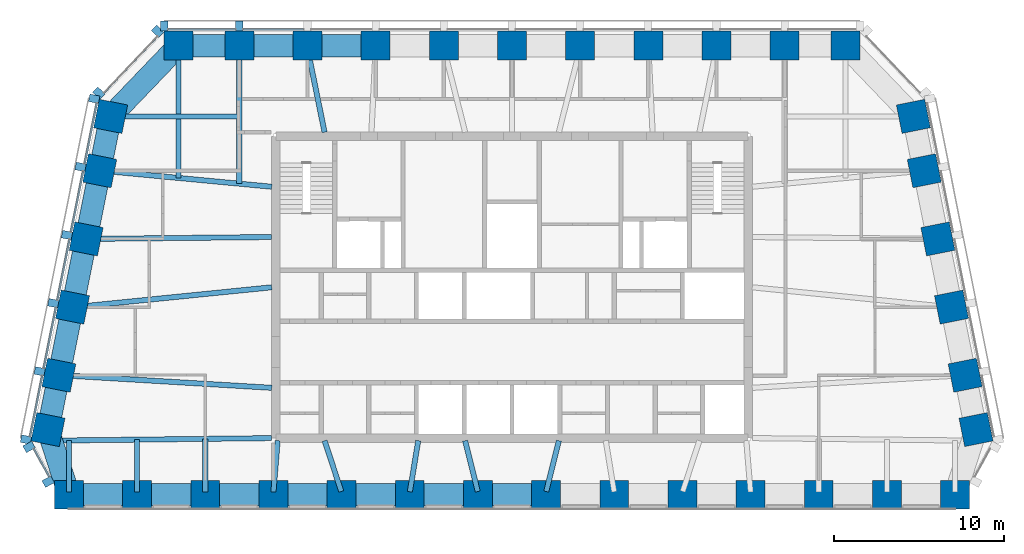
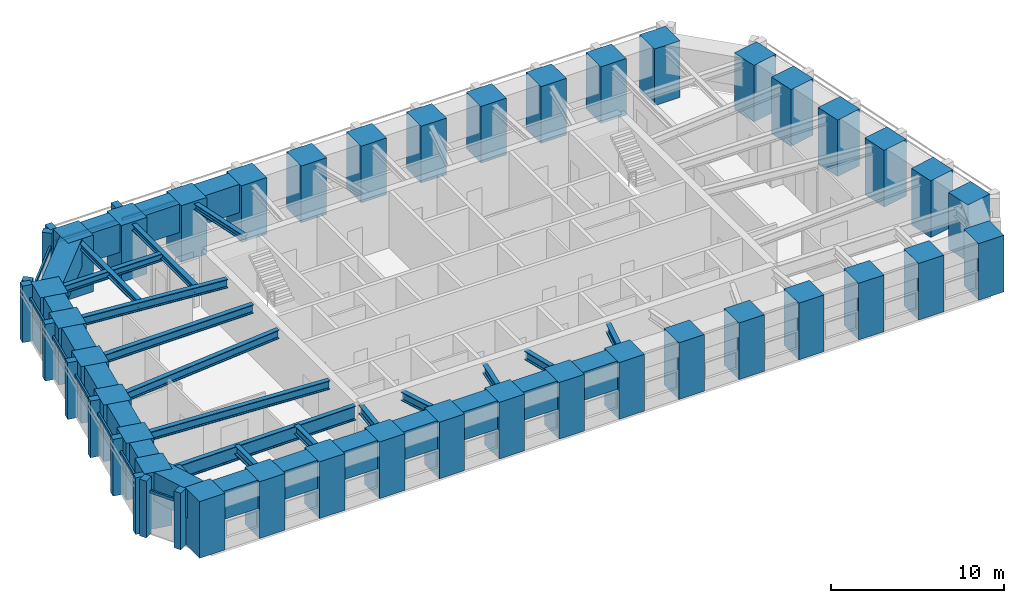
# One storey, part 1 of 9: 37 columns, 34 beams, 21 members, 4 elements without a shape of their own.
"""IFC4 building model written with IfcOpenShell, lengths in metres."""

from ifc_helpers import new_model, si_unit, direction, frame, origin, origin_2d, place, context, subcontext, project, spatial, rectangle, i_section, extrude, material, material_profile, profile_set, type_object, element, aggregate, save


model = new_model("IFC4")

# Units and contexts
model_context = context("Model", 3, precision=1e-05, world=origin(), true_north=direction((0.0, 1.0)))
body_context = subcontext(model_context, "Body", "Model", "MODEL_VIEW")
ifc_project = project(units=[si_unit("LENGTHUNIT", "METRE"), si_unit("AREAUNIT", "SQUARE_METRE"), si_unit("VOLUMEUNIT", "CUBIC_METRE"), si_unit("PLANEANGLEUNIT", "RADIAN"), si_unit("MASSUNIT", "GRAM", prefix="KILO")], contexts=[model_context])

# Site, building, storey
site_placement = place(None, origin())
site = spatial("IfcSite", under=ifc_project, at=site_placement, CompositionType="ELEMENT")
building_placement = place(site_placement, origin())
building = spatial("IfcBuilding", under=site, at=building_placement, Name="Isbrekke Arena Tower", CompositionType="ELEMENT")
storey_placement = place(building_placement, frame((0.0, 0.0, 312.0)))
storey = spatial("IfcBuildingStorey", under=building, at=storey_placement, Name="L73", CompositionType="ELEMENT", Elevation=312.0)

# Columns
ifc_material_1 = material(Name="Concrete B55 (C55/67)", Category="concrete")
ifc_material_profile_1 = material_profile(ifc_material_1, rectangle(XDim=1.699951171875, YDim=1.699951171875, at=origin_2d()), Name="RC 1700x1700")
ifc_profile_set_1 = profile_set([ifc_material_profile_1], Name="Concrete B55 (C55/67)")
column_type = type_object("IfcColumnType", Name="C5 RC 1700 x 1700", PredefinedType="COLUMN", material=ifc_profile_set_1)
for number, where, z_axis, x_axis, name in (
    (1, (-26.0, 2.824951171875, 0.0), (0.0, 0.0, 1.0), (1.0, 0.0, 0.0), "C5 S01"),
    (2, (-22.0, 2.824951171875, 0.0), (0.0, 0.0, 1.0), (1.0, 0.0, 0.0), "C5 S02"),
    (3, (-18.0, 2.824951171875, 0.0), (0.0, 0.0, 1.0), (1.0, 0.0, 0.0), "C5 S03"),
    (4, (-14.0, 2.824951171875, 0.0), (0.0, 0.0, 1.0), (1.0, 0.0, 0.0), "C5 S04"),
    (5, (-10.0, 2.824951171875, 0.0), (0.0, 0.0, 1.0), (1.0, 0.0, 0.0), "C5 S05"),
    (6, (-6.0, 2.824951171875, 0.0), (0.0, 0.0, 1.0), (1.0, 0.0, 0.0), "C5 S06"),
    (7, (-2.0, 2.824951171875, 0.0), (0.0, 0.0, 1.0), (1.0, 0.0, 0.0), "C5 S07"),
    (8, (2.0, 2.824951171875, 0.0), (0.0, 0.0, 1.0), (1.0, 0.0, 0.0), "C5 S08"),
    (9, (6.0, 2.824951171875, 0.0), (0.0, 0.0, 1.0), (1.0, 0.0, 0.0), "C5 S09"),
    (10, (10.0, 2.824951171875, 0.0), (0.0, 0.0, 1.0), (1.0, 0.0, 0.0), "C5 S10"),
    (11, (14.0, 2.824951171875, 0.0), (0.0, 0.0, 1.0), (1.0, 0.0, 0.0), "C5 S11"),
    (12, (18.0, 2.824951171875, 0.0), (0.0, 0.0, 1.0), (1.0, 0.0, 0.0), "C5 S12"),
    (13, (22.0, 2.824951171875, 0.0), (0.0, 0.0, 1.0), (1.0, 0.0, 0.0), "C5 S13"),
    (14, (26.0, 2.824951171875, 0.0), (0.0, 0.0, 1.0), (1.0, 0.0, 0.0), "C5 S14"),
    (15, (27.229248046875, 6.647216796875, 0.0), (0.0, 0.0, 1.0), (-0.196116135138, 0.980580675691, 0.0), "C5 E01"),
    (16, (26.591064453125, 9.838134765625, 0.0), (0.0, 0.0, 1.0), (-0.196116135138, 0.980580675691, 0.0), "C5 E02"),
    (17, (25.791015625, 13.838134765625, 0.0), (0.0, 0.0, 1.0), (-0.196116135138, 0.980580675691, 0.0), "C5 E03"),
    (18, (24.990966796875, 17.838134765625, 0.0), (0.0, 0.0, 1.0), (-0.196116135138, 0.980580675691, 0.0), "C5 E04"),
    (19, (24.19091796875, 21.838134765625, 0.0), (0.0, 0.0, 1.0), (-0.196116135138, 0.980580675691, 0.0), "C5 E05"),
    (20, (23.552734375, 25.029296875, 0.0), (0.0, 0.0, 1.0), (-0.196116135138, 0.980580675691, 0.0), "C5 E06"),
    (21, (19.574951171875, 29.175048828125, 0.0), (0.0, 0.0, 1.0), (-1.0, 0.0, 0.0), "C5 N01"),
    (22, (16.0, 29.175048828125, 0.0), (0.0, 0.0, 1.0), (-1.0, 0.0, 0.0), "C5 N02"),
    (23, (12.0, 29.175048828125, 0.0), (0.0, 0.0, 1.0), (-1.0, 0.0, 0.0), "C5 N03"),
    (24, (8.0, 29.175048828125, 0.0), (0.0, 0.0, 1.0), (-1.0, 0.0, 0.0), "C5 N04"),
    (25, (4.0, 29.175048828125, 0.0), (0.0, 0.0, 1.0), (-1.0, 0.0, 0.0), "C5 N05"),
    (26, (0.0, 29.175048828125, 0.0), (0.0, 0.0, 1.0), (-1.0, 0.0, 0.0), "C5 N06"),
    (27, (-4.0, 29.175048828125, 0.0), (0.0, 0.0, 1.0), (-1.0, 0.0, 0.0), "C5 N07"),
    (28, (-8.0, 29.175048828125, 0.0), (0.0, 0.0, 1.0), (-1.0, 0.0, 0.0), "C5 N08"),
    (29, (-12.0, 29.175048828125, 0.0), (0.0, 0.0, 1.0), (-1.0, 0.0, 0.0), "C5 N09"),
    (30, (-16.0, 29.175048828125, 0.0), (0.0, 0.0, 1.0), (-1.0, 0.0, 0.0), "C5 N10"),
    (31, (-19.574951171875, 29.175048828125, 0.0), (0.0, 0.0, 1.0), (-1.0, 0.0, 0.0), "C5 N11"),
    (32, (-23.552734375, 25.029296875, 0.0), (0.0, 0.0, 1.0), (-0.196116135138, -0.980580675691, 0.0), "C5 W01"),
    (33, (-24.19091796875, 21.838134765625, 0.0), (0.0, 0.0, 1.0), (-0.196116135138, -0.980580675691, 0.0), "C5 W02"),
    (34, (-24.990966796875, 17.838134765625, 0.0), (0.0, 0.0, 1.0), (-0.196116135138, -0.980580675691, 0.0), "C5 W03"),
    (35, (-25.791015625, 13.838134765625, 0.0), (0.0, 0.0, 1.0), (-0.196116135138, -0.980580675691, 0.0), "C5 W04"),
    (36, (-26.591064453125, 9.838134765625, 0.0), (0.0, 0.0, 1.0), (-0.196116135138, -0.980580675691, 0.0), "C5 W05"),
    (37, (-27.229248046875, 6.647216796875, 0.0), (0.0, 0.0, 1.0), (-0.196116135138, -0.980580675691, 0.0), "C5 W06"),
):
    element("IfcColumn", number, at=place(storey_placement, frame(where, z_axis=z_axis, x_axis=x_axis)), inside=storey, type_object=column_type, Name=name, PredefinedType="COLUMN", context=body_context, shape_type="SweptSolid", body=[
        extrude(rectangle(XDim=1.699951171875, YDim=1.699951171875, at=origin_2d()), origin(), (0.0, 0.0, 1.0), 4.0),
    ])

# Beams
ifc_material_2 = material(Name="Steel S355", Category="steel")
ifc_material_profile_2 = material_profile(ifc_material_2, i_section(OverallWidth=0.304931640625, OverallDepth=0.6201171875, WebThickness=0.02099609375, FlangeThickness=0.0400390625, FilletRadius=0.027099609375, at=origin_2d()), Name="HEM 600")
ifc_profile_set_2 = profile_set([ifc_material_profile_2], Name="Steel S355")
beam_type_1 = type_object("IfcBeamType", Name="B4 HEM 600", PredefinedType="BEAM", material=ifc_profile_set_2)
beam_1_placement = place(storey_placement, frame((-26.0, 2.97509765625, 3.5400390625), z_axis=(0.0, 1.0, 0.0), x_axis=(-1.0, 0.0, 0.0)))
element("IfcBeam", 38, at=beam_1_placement, inside=storey, type_object=beam_type_1, Name="B4 beam C-S01 L73", PredefinedType="BEAM", context=body_context, shape_type="SweptSolid", body=[
    extrude(i_section(OverallWidth=0.304931640625, OverallDepth=0.6201171875, WebThickness=0.02099609375, FlangeThickness=0.0400390625, FilletRadius=0.027099609375, at=origin_2d()), origin(), (0.0, 0.0, 1.0), 3.0390625),
])
beam_2_placement = place(storey_placement, frame((-22.0, 2.97509765625, 3.5400390625), z_axis=(0.0, 1.0, 0.0), x_axis=(-1.0, 0.0, 0.0)))
element("IfcBeam", 39, at=beam_2_placement, inside=storey, type_object=beam_type_1, Name="B4 beam C-S02 L73", PredefinedType="BEAM", context=body_context, shape_type="SweptSolid", body=[
    extrude(i_section(OverallWidth=0.304931640625, OverallDepth=0.6201171875, WebThickness=0.02099609375, FlangeThickness=0.0400390625, FilletRadius=0.027099609375, at=origin_2d()), origin(), (0.0, 0.0, 1.0), 3.084716796875),
])
beam_3_placement = place(storey_placement, frame((-18.0, 2.97509765625, 3.5400390625), z_axis=(0.0, 1.0, 0.0), x_axis=(-1.0, 0.0, 0.0)))
element("IfcBeam", 40, at=beam_3_placement, inside=storey, type_object=beam_type_1, Name="B4 beam C-S03 L73", PredefinedType="BEAM", context=body_context, shape_type="SweptSolid", body=[
    extrude(i_section(OverallWidth=0.304931640625, OverallDepth=0.6201171875, WebThickness=0.02099609375, FlangeThickness=0.0400390625, FilletRadius=0.027099609375, at=origin_2d()), origin(), (0.0, 0.0, 1.0), 3.13037109375),
])
beam_4_placement = place(storey_placement, frame((-13.9990234375, 2.987548828125, 3.5400390625), z_axis=(0.082383718089, 0.996600683822, 0.0), x_axis=(-0.996600683822, 0.082383718089, 0.0)))
element("IfcBeam", 41, at=beam_4_placement, inside=storey, type_object=beam_type_1, Name="B4 beam C-S04 L73", PredefinedType="BEAM", context=body_context, shape_type="SweptSolid", body=[
    extrude(i_section(OverallWidth=0.304931640625, OverallDepth=0.6201171875, WebThickness=0.02099609375, FlangeThickness=0.0400390625, FilletRadius=0.027099609375, at=origin_2d()), origin(), (0.0, 0.0, 1.0), 3.022705078125),
])
beam_5_placement = place(storey_placement, frame((-10.01513671875, 3.0205078125, 3.5400390625), z_axis=(-0.313846083605, 0.949473873156, 0.0), x_axis=(-0.949473873156, -0.313846083605, 0.0)))
element("IfcBeam", 42, at=beam_5_placement, inside=storey, type_object=beam_type_1, Name="B4 beam C-S05 L73", PredefinedType="BEAM", context=body_context, shape_type="SweptSolid", body=[
    extrude(i_section(OverallWidth=0.304931640625, OverallDepth=0.6201171875, WebThickness=0.02099609375, FlangeThickness=0.0400390625, FilletRadius=0.027099609375, at=origin_2d()), origin(), (0.0, 0.0, 1.0), 3.137939453125),
])
beam_6_placement = place(storey_placement, frame((-5.995849609375, 2.99951171875, 3.5400390625), z_axis=(0.163044952053, 0.986618641426, 0.0), x_axis=(-0.986618641426, 0.163044952053, 0.0)))
element("IfcBeam", 43, at=beam_6_placement, inside=storey, type_object=beam_type_1, Name="B4 beam C-S06 L73", PredefinedType="BEAM", context=body_context, shape_type="SweptSolid", body=[
    extrude(i_section(OverallWidth=0.304931640625, OverallDepth=0.6201171875, WebThickness=0.02099609375, FlangeThickness=0.0400390625, FilletRadius=0.027099609375, at=origin_2d()), origin(), (0.0, 0.0, 1.0), 3.041259765625),
])
for number, where, z_axis, x_axis, name in (
    (44, (-2.0087890625, 3.0107421875, 3.5400390625), (-0.240669951999, 0.970607013268, 0.0), (-0.970607013268, -0.240669951999, 0.0), "B4 beam C-S07 L73"),
    (45, (2.0087890625, 3.0107421875, 3.5400390625), (0.240669951999, 0.970607013268, 0.0), (-0.970607013268, 0.240669951999, 0.0), "B4 beam C-S08 L73"),
):
    element("IfcBeam", number, at=place(storey_placement, frame(where, z_axis=z_axis, x_axis=x_axis)), inside=storey, type_object=beam_type_1, Name=name, PredefinedType="BEAM", context=body_context, shape_type="SweptSolid", body=[
        extrude(i_section(OverallWidth=0.304931640625, OverallDepth=0.6201171875, WebThickness=0.02099609375, FlangeThickness=0.0400390625, FilletRadius=0.027099609375, at=origin_2d()), origin(), (0.0, 0.0, 1.0), 3.079833984375),
    ])
beam_7_placement = place(storey_placement, frame((-24.02685546875, 21.8369140625, 3.5400390625), z_axis=(0.995574576627, -0.093974796485, 0.0), x_axis=(0.093974796485, 0.995574576627, 0.0)))
element("IfcBeam", 46, at=beam_7_placement, inside=storey, type_object=beam_type_1, Name="B4 beam E-W02 L73", PredefinedType="BEAM", context=body_context, shape_type="SweptSolid", body=[
    extrude(i_section(OverallWidth=0.304931640625, OverallDepth=0.6201171875, WebThickness=0.02099609375, FlangeThickness=0.0400390625, FilletRadius=0.027099609375, at=origin_2d()), origin(), (0.0, 0.0, 1.0), 9.970947265625),
])
beam_8_placement = place(storey_placement, frame((-24.83935546875, 17.838134765625, 3.5400390625), z_axis=(0.999945800258, 0.010411366203, 0.0), x_axis=(-0.010411366203, 0.999945800258, 0.0)))
element("IfcBeam", 47, at=beam_8_placement, inside=storey, type_object=beam_type_1, Name="B4 beam E-W03 L73", PredefinedType="BEAM", context=body_context, shape_type="SweptSolid", body=[
    extrude(i_section(OverallWidth=0.304931640625, OverallDepth=0.6201171875, WebThickness=0.02099609375, FlangeThickness=0.0400390625, FilletRadius=0.027099609375, at=origin_2d()), origin(), (0.0, 0.0, 1.0), 10.73974609375),
])
beam_9_placement = place(storey_placement, frame((-25.625732421875, 13.83984375, 3.5400390625), z_axis=(0.994972081505, 0.100152668587, 0.0), x_axis=(-0.100152668587, 0.994972081505, 0.0)))
element("IfcBeam", 48, at=beam_9_placement, inside=storey, type_object=beam_type_1, Name="B4 beam E-W04 L73", PredefinedType="BEAM", context=body_context, shape_type="SweptSolid", body=[
    extrude(i_section(OverallWidth=0.304931640625, OverallDepth=0.6201171875, WebThickness=0.02099609375, FlangeThickness=0.0400390625, FilletRadius=0.027099609375, at=origin_2d()), origin(), (0.0, 0.0, 1.0), 11.583984375),
])
beam_10_placement = place(storey_placement, frame((-26.431884765625, 9.837646484375, 3.5400390625), z_axis=(0.998216240514, -0.059702070095, 0.0), x_axis=(0.059702070095, 0.998216240514, 0.0)))
element("IfcBeam", 49, at=beam_10_placement, inside=storey, type_object=beam_type_1, Name="B4 beam E-W05 L73", PredefinedType="BEAM", context=body_context, shape_type="SweptSolid", body=[
    extrude(i_section(OverallWidth=0.304931640625, OverallDepth=0.6201171875, WebThickness=0.02099609375, FlangeThickness=0.0400390625, FilletRadius=0.027099609375, at=origin_2d()), origin(), (0.0, 0.0, 1.0), 12.353759765625),
])
ifc_material_3 = material(Name="Steel S355", Category="steel")
ifc_material_profile_3 = material_profile(ifc_material_3, i_section(OverallWidth=0.305908203125, OverallDepth=0.52392578125, WebThickness=0.02099609375, FlangeThickness=0.0400390625, FilletRadius=0.027099609375, at=origin_2d()), Name="HEM 500")
ifc_profile_set_3 = profile_set([ifc_material_profile_3], Name="Steel S355")
beam_type_2 = type_object("IfcBeamType", Name="B5 HEM 500", PredefinedType="BEAM", material=ifc_profile_set_3)
beam_11_placement = place(storey_placement, frame((-23.40283203125, 25.029296875, 3.587890625), z_axis=(1.0, 0.0, 0.0), x_axis=(0.0, 1.0, 0.0)))
element("IfcBeam", 50, at=beam_11_placement, inside=storey, type_object=beam_type_2, Name="B5 beam E-W01 L73", PredefinedType="BEAM", context=body_context, shape_type="SweptSolid", body=[
    extrude(i_section(OverallWidth=0.305908203125, OverallDepth=0.52392578125, WebThickness=0.02099609375, FlangeThickness=0.0400390625, FilletRadius=0.027099609375, at=origin_2d()), origin(), (0.0, 0.0, 1.0), 7.40283203125),
])
ifc_material_4 = material(Name="Steel S355", Category="steel")
ifc_material_profile_4 = material_profile(ifc_material_4, i_section(OverallWidth=0.306884765625, OverallDepth=0.431884765625, WebThickness=0.02099609375, FlangeThickness=0.0400390625, FilletRadius=0.027099609375, at=origin_2d()), Name="HEM 400")
ifc_profile_set_4 = profile_set([ifc_material_profile_4], Name="Steel S355")
beam_type_3 = type_object("IfcBeamType", Name="B6 HEM 400", PredefinedType="BEAM", material=ifc_profile_set_4)
beam_12_placement = place(storey_placement, frame((-16.0, 29.02490234375, 3.634033203125), z_axis=(0.0, -1.0, 0.0), x_axis=(1.0, 0.0, 0.0)))
element("IfcBeam", 51, at=beam_12_placement, inside=storey, type_object=beam_type_3, Name="B6 beam N-N10 L73", PredefinedType="BEAM", context=body_context, shape_type="SweptSolid", body=[
    extrude(i_section(OverallWidth=0.306884765625, OverallDepth=0.431884765625, WebThickness=0.02099609375, FlangeThickness=0.0400390625, FilletRadius=0.027099609375, at=origin_2d()), origin(), (0.0, 0.0, 1.0), 7.945556640625),
])
beam_13_placement = place(storey_placement, frame((-19.574951171875, 29.02490234375, 3.634033203125), z_axis=(0.0, -1.0, 0.0), x_axis=(1.0, 0.0, 0.0)))
element("IfcBeam", 52, at=beam_13_placement, inside=storey, type_object=beam_type_3, Name="B6 beam N-N11 L73", PredefinedType="BEAM", context=body_context, shape_type="SweptSolid", body=[
    extrude(i_section(OverallWidth=0.306884765625, OverallDepth=0.431884765625, WebThickness=0.02099609375, FlangeThickness=0.0400390625, FilletRadius=0.027099609375, at=origin_2d()), origin(), (0.0, 0.0, 1.0), 7.608154296875),
])
beam_14_placement = place(storey_placement, frame((-11.993896484375, 28.9951171875, 3.634033203125), z_axis=(0.198982177337, -0.980003108721, 0.0), x_axis=(0.980003108721, 0.198982177337, 0.0)))
element("IfcBeam", 53, at=beam_14_placement, inside=storey, type_object=beam_type_3, Name="B6 beam N-N09 L73", PredefinedType="BEAM", context=body_context, shape_type="SweptSolid", body=[
    extrude(i_section(OverallWidth=0.306884765625, OverallDepth=0.431884765625, WebThickness=0.02099609375, FlangeThickness=0.0400390625, FilletRadius=0.027099609375, at=origin_2d()), origin(), (0.0, 0.0, 1.0), 4.994873046875),
])

# Curtain wall, members
ifc_material_5 = material(Name="Glazed aluminium curtain wall", Category="aluminium")
curtain_wall_type = type_object("IfcCurtainWallType", Name="CWT TOWER CURTAIN WALL TOP ZONE", PredefinedType="USERDEFINED", material=ifc_material_5)
curtain_wall_1_placement = place(storey_placement, origin())
curtain_wall_1 = element("IfcCurtainWall", 54, at=curtain_wall_1_placement, inside=storey, type_object=curtain_wall_type, Name="CWT curtain wall L73-N", ObjectType="TOWER CURTAIN WALL TOP ZONE", PredefinedType="USERDEFINED")
ifc_material_6 = material(Name="Copper-clad aluminium mullion", Category="aluminium")
ifc_material_profile_5 = material_profile(ifc_material_6, rectangle(XDim=0.449951171875, YDim=0.60009765625, at=origin_2d()), Name="PIER 450X600")
ifc_profile_set_5 = profile_set([ifc_material_profile_5], Name="Copper-clad aluminium mullion")
member_type_1 = type_object("IfcMemberType", Name="CWT-M PIER MULLION 450 x 600", PredefinedType="MULLION", material=ifc_profile_set_5)
member_1_placement = place(storey_placement, frame((-16.0, 30.324951171875, 0.0), z_axis=(0.0, 0.0, 1.0), x_axis=(-1.0, 0.0, 0.0)))
member_1 = element("IfcMember", 55, at=member_1_placement, type_object=member_type_1, Name="CWT-M mullion 10", PredefinedType="MULLION", context=body_context, shape_type="SweptSolid", body=[
    extrude(rectangle(XDim=0.449951171875, YDim=0.60009765625, at=origin_2d()), origin(), (0.0, 0.0, 1.0), 4.0),
])
member_2_placement = place(storey_placement, frame((-20.39990234375, 30.324951171875, 0.0), z_axis=(0.0, 0.0, 1.0), x_axis=(-1.0, 0.0, 0.0)))
member_2 = element("IfcMember", 56, at=member_2_placement, type_object=member_type_1, Name="CWT-M mullion 11", PredefinedType="MULLION", context=body_context, shape_type="SweptSolid", body=[
    extrude(rectangle(XDim=0.449951171875, YDim=0.60009765625, at=origin_2d()), origin(), (0.0, 0.0, 1.0), 4.0),
])

curtain_wall_2_placement = place(storey_placement, origin())
curtain_wall_2 = element("IfcCurtainWall", 57, at=curtain_wall_2_placement, inside=storey, type_object=curtain_wall_type, Name="CWT curtain wall L73-NW", ObjectType="TOWER CURTAIN WALL TOP ZONE", PredefinedType="USERDEFINED")
member_3_placement = place(storey_placement, frame((-20.795166015625, 30.01953125, 0.0), z_axis=(0.0, 0.0, 1.0), x_axis=(-0.68874946192, -0.72499943359, 0.0)))
member_3 = element("IfcMember", 58, at=member_3_placement, type_object=member_type_1, Name="CWT-M mullion 1", PredefinedType="MULLION", context=body_context, shape_type="SweptSolid", body=[
    extrude(rectangle(XDim=0.449951171875, YDim=0.60009765625, at=origin_2d()), origin(), (0.0, 0.0, 1.0), 4.0),
])
member_4_placement = place(storey_placement, frame((-24.243896484375, 26.389404296875, 0.0), z_axis=(0.0, 0.0, 1.0), x_axis=(-0.68874946192, -0.72499943359, 0.0)))
member_4 = element("IfcMember", 59, at=member_4_placement, type_object=member_type_1, Name="CWT-M mullion 2", PredefinedType="MULLION", context=body_context, shape_type="SweptSolid", body=[
    extrude(rectangle(XDim=0.449951171875, YDim=0.60009765625, at=origin_2d()), origin(), (0.0, 0.0, 1.0), 4.0),
])

curtain_wall_3_placement = place(storey_placement, origin())
curtain_wall_3 = element("IfcCurtainWall", 60, at=curtain_wall_3_placement, inside=storey, type_object=curtain_wall_type, Name="CWT curtain wall L73-W", ObjectType="TOWER CURTAIN WALL TOP ZONE", PredefinedType="USERDEFINED")
member_5_placement = place(storey_placement, frame((-24.518798828125, 26.063720703125, 0.0), z_axis=(0.0, 0.0, 1.0), x_axis=(-0.196116135138, -0.980580675691, 0.0)))
member_5 = element("IfcMember", 61, at=member_5_placement, type_object=member_type_1, Name="CWT-M mullion 1", PredefinedType="MULLION", context=body_context, shape_type="SweptSolid", body=[
    extrude(rectangle(XDim=0.449951171875, YDim=0.60009765625, at=origin_2d()), origin(), (0.0, 0.0, 1.0), 4.0),
])
member_6_placement = place(storey_placement, frame((-25.318603515625, 22.063720703125, 0.0), z_axis=(0.0, 0.0, 1.0), x_axis=(-0.196116135138, -0.980580675691, 0.0)))
member_6 = element("IfcMember", 62, at=member_6_placement, type_object=member_type_1, Name="CWT-M mullion 2", PredefinedType="MULLION", context=body_context, shape_type="SweptSolid", body=[
    extrude(rectangle(XDim=0.449951171875, YDim=0.60009765625, at=origin_2d()), origin(), (0.0, 0.0, 1.0), 4.0),
])
member_7_placement = place(storey_placement, frame((-26.11865234375, 18.063720703125, 0.0), z_axis=(0.0, 0.0, 1.0), x_axis=(-0.196116135138, -0.980580675691, 0.0)))
member_7 = element("IfcMember", 63, at=member_7_placement, type_object=member_type_1, Name="CWT-M mullion 3", PredefinedType="MULLION", context=body_context, shape_type="SweptSolid", body=[
    extrude(rectangle(XDim=0.449951171875, YDim=0.60009765625, at=origin_2d()), origin(), (0.0, 0.0, 1.0), 4.0),
])
member_8_placement = place(storey_placement, frame((-26.918701171875, 14.063720703125, 0.0), z_axis=(0.0, 0.0, 1.0), x_axis=(-0.196116135138, -0.980580675691, 0.0)))
member_8 = element("IfcMember", 64, at=member_8_placement, type_object=member_type_1, Name="CWT-M mullion 4", PredefinedType="MULLION", context=body_context, shape_type="SweptSolid", body=[
    extrude(rectangle(XDim=0.449951171875, YDim=0.60009765625, at=origin_2d()), origin(), (0.0, 0.0, 1.0), 4.0),
])
member_9_placement = place(storey_placement, frame((-27.71875, 10.063720703125, 0.0), z_axis=(0.0, 0.0, 1.0), x_axis=(-0.196116135138, -0.980580675691, 0.0)))
member_9 = element("IfcMember", 65, at=member_9_placement, type_object=member_type_1, Name="CWT-M mullion 5", PredefinedType="MULLION", context=body_context, shape_type="SweptSolid", body=[
    extrude(rectangle(XDim=0.449951171875, YDim=0.60009765625, at=origin_2d()), origin(), (0.0, 0.0, 1.0), 4.0),
])
member_10_placement = place(storey_placement, frame((-28.518798828125, 6.063720703125, 0.0), z_axis=(0.0, 0.0, 1.0), x_axis=(-0.196116135138, -0.980580675691, 0.0)))
member_10 = element("IfcMember", 66, at=member_10_placement, type_object=member_type_1, Name="CWT-M mullion 6", PredefinedType="MULLION", context=body_context, shape_type="SweptSolid", body=[
    extrude(rectangle(XDim=0.449951171875, YDim=0.60009765625, at=origin_2d()), origin(), (0.0, 0.0, 1.0), 4.0),
])

curtain_wall_4_placement = place(storey_placement, origin())
curtain_wall_4 = element("IfcCurtainWall", 67, at=curtain_wall_4_placement, inside=storey, type_object=curtain_wall_type, Name="CWT curtain wall L73-WS", ObjectType="TOWER CURTAIN WALL TOP ZONE", PredefinedType="USERDEFINED")
member_11_placement = place(storey_placement, frame((-28.34033203125, 5.632568359375, 0.0), z_axis=(0.0, 0.0, 1.0), x_axis=(0.481918749773, -0.876215908676, 0.0)))
member_11 = element("IfcMember", 68, at=member_11_placement, type_object=member_type_1, Name="CWT-M mullion 1", PredefinedType="MULLION", context=body_context, shape_type="SweptSolid", body=[
    extrude(rectangle(XDim=0.449951171875, YDim=0.60009765625, at=origin_2d()), origin(), (0.0, 0.0, 1.0), 4.0),
])
member_12_placement = place(storey_placement, frame((-27.21826171875, 3.592529296875, 0.0), z_axis=(0.0, 0.0, 1.0), x_axis=(0.481918749773, -0.876215908676, 0.0)))
member_12 = element("IfcMember", 69, at=member_12_placement, type_object=member_type_1, Name="CWT-M mullion 2", PredefinedType="MULLION", context=body_context, shape_type="SweptSolid", body=[
    extrude(rectangle(XDim=0.449951171875, YDim=0.60009765625, at=origin_2d()), origin(), (0.0, 0.0, 1.0), 4.0),
])

# Member
ifc_material_7 = material(Name="Aluminium transom", Category="aluminium")
ifc_material_profile_6 = material_profile(ifc_material_7, rectangle(XDim=0.1201171875, YDim=0.199951171875, at=origin_2d()), Name="TRANSOM 120X200")
ifc_profile_set_6 = profile_set([ifc_material_profile_6], Name="Aluminium transom")
member_type_2 = type_object("IfcMemberType", Name="CWT-T TRANSOM 120 x 200", PredefinedType="USERDEFINED", material=ifc_profile_set_6)
member_13_placement = place(storey_placement, frame((-12.22509765625, 30.125, 3.0), z_axis=(-1.0, 0.0, 0.0), x_axis=(0.0, -1.0, 0.0)))
member_13 = element("IfcMember", 70, at=member_13_placement, type_object=member_type_2, Name="CWT-T transom 9", ObjectType="TRANSOM", PredefinedType="USERDEFINED", context=body_context, shape_type="SweptSolid", body=[
    extrude(rectangle(XDim=0.1201171875, YDim=0.199951171875, at=origin_2d()), origin(), (0.0, 0.0, 1.0), 3.5498046875),
])

member_14_placement = place(storey_placement, frame((-16.22509765625, 30.125, 3.0), z_axis=(-1.0, 0.0, 0.0), x_axis=(0.0, -1.0, 0.0)))
member_14 = element("IfcMember", 71, at=member_14_placement, type_object=member_type_2, Name="CWT-T transom 10", ObjectType="TRANSOM", PredefinedType="USERDEFINED", context=body_context, shape_type="SweptSolid", body=[
    extrude(rectangle(XDim=0.1201171875, YDim=0.199951171875, at=origin_2d()), origin(), (0.0, 0.0, 1.0), 3.949951171875),
])

aggregate(curtain_wall_1, [member_1, member_2, member_13, member_14])

member_15_placement = place(storey_placement, frame((-20.80517578125, 29.71875, 3.0), z_axis=(-0.688739606035, -0.725008796552, 0.0), x_axis=(0.725008796552, -0.688739606035, 0.0)))
member_15 = element("IfcMember", 72, at=member_15_placement, type_object=member_type_2, Name="CWT-T transom 1", ObjectType="TRANSOM", PredefinedType="USERDEFINED", context=body_context, shape_type="SweptSolid", body=[
    extrude(rectangle(XDim=0.1201171875, YDim=0.199951171875, at=origin_2d()), origin(), (0.0, 0.0, 1.0), 4.55712890625),
])

aggregate(curtain_wall_2, [member_3, member_4, member_15])

member_16_placement = place(storey_placement, frame((-24.36669921875, 25.803955078125, 3.0), z_axis=(-0.196090262229, -0.980585849918, 0.0), x_axis=(0.980585849918, -0.196090262229, 0.0)))
member_16 = element("IfcMember", 73, at=member_16_placement, type_object=member_type_2, Name="CWT-T transom 1", ObjectType="TRANSOM", PredefinedType="USERDEFINED", context=body_context, shape_type="SweptSolid", body=[
    extrude(rectangle(XDim=0.1201171875, YDim=0.199951171875, at=origin_2d()), origin(), (0.0, 0.0, 1.0), 3.62939453125),
])

member_17_placement = place(storey_placement, frame((-25.166748046875, 21.803955078125, 3.0), z_axis=(-0.196090262229, -0.980585849918, 0.0), x_axis=(0.980585849918, -0.196090262229, 0.0)))
member_17 = element("IfcMember", 74, at=member_17_placement, type_object=member_type_2, Name="CWT-T transom 2", ObjectType="TRANSOM", PredefinedType="USERDEFINED", context=body_context, shape_type="SweptSolid", body=[
    extrude(rectangle(XDim=0.1201171875, YDim=0.199951171875, at=origin_2d()), origin(), (0.0, 0.0, 1.0), 3.62939453125),
])

member_18_placement = place(storey_placement, frame((-25.966796875, 17.803955078125, 3.0), z_axis=(-0.196090262229, -0.980585849918, 0.0), x_axis=(0.980585849918, -0.196090262229, 0.0)))
member_18 = element("IfcMember", 75, at=member_18_placement, type_object=member_type_2, Name="CWT-T transom 3", ObjectType="TRANSOM", PredefinedType="USERDEFINED", context=body_context, shape_type="SweptSolid", body=[
    extrude(rectangle(XDim=0.1201171875, YDim=0.199951171875, at=origin_2d()), origin(), (0.0, 0.0, 1.0), 3.62939453125),
])

member_19_placement = place(storey_placement, frame((-26.7666015625, 13.803955078125, 3.0), z_axis=(-0.196154943734, -0.980572913173, 0.0), x_axis=(0.980572913173, -0.196154943734, 0.0)))
member_19 = element("IfcMember", 76, at=member_19_placement, type_object=member_type_2, Name="CWT-T transom 4", ObjectType="TRANSOM", PredefinedType="USERDEFINED", context=body_context, shape_type="SweptSolid", body=[
    extrude(rectangle(XDim=0.1201171875, YDim=0.199951171875, at=origin_2d()), origin(), (0.0, 0.0, 1.0), 3.62939453125),
])

member_20_placement = place(storey_placement, frame((-27.566650390625, 9.803955078125, 3.0), z_axis=(-0.196154943734, -0.980572913173, 0.0), x_axis=(0.980572913173, -0.196154943734, 0.0)))
member_20 = element("IfcMember", 77, at=member_20_placement, type_object=member_type_2, Name="CWT-T transom 5", ObjectType="TRANSOM", PredefinedType="USERDEFINED", context=body_context, shape_type="SweptSolid", body=[
    extrude(rectangle(XDim=0.1201171875, YDim=0.199951171875, at=origin_2d()), origin(), (0.0, 0.0, 1.0), 3.62939453125),
])

aggregate(curtain_wall_3, [member_5, member_6, member_7, member_8, member_9, member_10, member_16, member_17, member_18, member_19, member_20])

member_21_placement = place(storey_placement, frame((-28.056640625, 5.53173828125, 3.0), z_axis=(0.481918749772, -0.876215908677, 0.0), x_axis=(0.876215908677, 0.481918749772, 0.0)))
member_21 = element("IfcMember", 78, at=member_21_placement, type_object=member_type_2, Name="CWT-T transom 1", ObjectType="TRANSOM", PredefinedType="USERDEFINED", context=body_context, shape_type="SweptSolid", body=[
    extrude(rectangle(XDim=0.1201171875, YDim=0.199951171875, at=origin_2d()), origin(), (0.0, 0.0, 1.0), 1.8779296875),
])

aggregate(curtain_wall_4, [member_11, member_12, member_21])

# Beams
ifc_material_8 = material(Name="Steel S355", Category="steel")
ifc_material_profile_7 = material_profile(ifc_material_8, i_section(OverallWidth=0.302001953125, OverallDepth=1.008056640625, WebThickness=0.02099609375, FlangeThickness=0.0400390625, FilletRadius=0.030029296875, at=origin_2d()), Name="HEM 1000")
ifc_profile_set_7 = profile_set([ifc_material_profile_7], Name="Steel S355")
beam_type_4 = type_object("IfcBeamType", Name="G2 HEM 1000", PredefinedType="BEAM", material=ifc_profile_set_7)
beam_15_placement = place(storey_placement, frame((-14.10009765625, 6.14990234375, 3.345947265625), z_axis=(-0.999934809516, -0.011418262471, 0.0), x_axis=(0.011418262471, -0.999934809516, 0.0)))
element("IfcBeam", 79, at=beam_15_placement, inside=storey, type_object=beam_type_4, Name="G2 beam G2-W L73", PredefinedType="BEAM", context=body_context, shape_type="SweptSolid", body=[
    extrude(i_section(OverallWidth=0.302001953125, OverallDepth=1.008056640625, WebThickness=0.02099609375, FlangeThickness=0.0400390625, FilletRadius=0.030029296875, at=origin_2d()), origin(), (0.0, 0.0, 1.0), 13.12841796875),
])
ifc_material_9 = material(Name="Concrete B55 (C55/67)", Category="concrete")
ifc_material_profile_8 = material_profile(ifc_material_9, rectangle(XDim=1.300048828125, YDim=2.0, at=origin_2d()), Name="RC 1300x2000")
ifc_profile_set_8 = profile_set([ifc_material_profile_8], Name="Concrete B55 (C55/67)")
beam_type_5 = type_object("IfcBeamType", Name="SB4 RC 1300 x 2000", PredefinedType="SPANDREL", material=ifc_profile_set_8)
for number, where, z_axis, x_axis, name in (
    (80, (-25.85009765625, 2.824951171875, 3.0), (1.0, 0.0, 0.0), (0.0, 1.0, 0.0), "SB4 spandrel S01-S02 L73"),
    (81, (-21.85009765625, 2.824951171875, 3.0), (1.0, 0.0, 0.0), (0.0, 1.0, 0.0), "SB4 spandrel S02-S03 L73"),
    (82, (-17.85009765625, 2.824951171875, 3.0), (1.0, 0.0, 0.0), (0.0, 1.0, 0.0), "SB4 spandrel S03-S04 L73"),
    (83, (-13.85009765625, 2.824951171875, 3.0), (1.0, 0.0, 0.0), (0.0, 1.0, 0.0), "SB4 spandrel S04-S05 L73"),
    (84, (-9.85009765625, 2.824951171875, 3.0), (1.0, 0.0, 0.0), (0.0, 1.0, 0.0), "SB4 spandrel S05-S06 L73"),
    (85, (-5.85009765625, 2.824951171875, 3.0), (1.0, 0.0, 0.0), (0.0, 1.0, 0.0), "SB4 spandrel S06-S07 L73"),
    (86, (-1.85009765625, 2.824951171875, 3.0), (1.0, 0.0, 0.0), (0.0, 1.0, 0.0), "SB4 spandrel S07-S08 L73"),
    (87, (-8.14990234375, 29.175048828125, 3.0), (-1.0, 0.0, 0.0), (0.0, -1.0, 0.0), "SB4 spandrel N08-N09 L73"),
    (88, (-12.14990234375, 29.175048828125, 3.0), (-1.0, 0.0, 0.0), (0.0, -1.0, 0.0), "SB4 spandrel N09-N10 L73"),
):
    element("IfcBeam", number, at=place(storey_placement, frame(where, z_axis=z_axis, x_axis=x_axis)), inside=storey, type_object=beam_type_5, Name=name, PredefinedType="SPANDREL", context=body_context, shape_type="SweptSolid", body=[
        extrude(rectangle(XDim=1.300048828125, YDim=2.0, at=origin_2d()), origin(), (0.0, 0.0, 1.0), 3.7001953125),
    ])
beam_16_placement = place(storey_placement, frame((-16.14990234375, 29.175048828125, 3.0), z_axis=(-1.0, 0.0, 0.0), x_axis=(0.0, -1.0, 0.0)))
element("IfcBeam", 89, at=beam_16_placement, inside=storey, type_object=beam_type_5, Name="SB4 spandrel N10-N11 L73", PredefinedType="SPANDREL", context=body_context, shape_type="SweptSolid", body=[
    extrude(rectangle(XDim=1.300048828125, YDim=2.0, at=origin_2d()), origin(), (0.0, 0.0, 1.0), 3.275146484375),
])
beam_17_placement = place(storey_placement, frame((-19.678955078125, 29.066650390625, 3.0), z_axis=(-0.692339547635, -0.721571861134, 0.0), x_axis=(0.721571861134, -0.692339547635, 0.0)))
element("IfcBeam", 90, at=beam_17_placement, inside=storey, type_object=beam_type_5, Name="SB4 spandrel N11-W01 L73", PredefinedType="SPANDREL", context=body_context, shape_type="SweptSolid", body=[
    extrude(rectangle(XDim=1.300048828125, YDim=2.0, at=origin_2d()), origin(), (0.0, 0.0, 1.0), 5.4453125),
])
beam_18_placement = place(storey_placement, frame((-23.582275390625, 24.882080078125, 3.0), z_axis=(-0.196116135138, -0.980580675691, 0.0), x_axis=(0.980580675691, -0.196116135138, 0.0)))
element("IfcBeam", 91, at=beam_18_placement, inside=storey, type_object=beam_type_5, Name="SB4 spandrel W01-W02 L73", PredefinedType="SPANDREL", context=body_context, shape_type="SweptSolid", body=[
    extrude(rectangle(XDim=1.300048828125, YDim=2.0, at=origin_2d()), origin(), (0.0, 0.0, 1.0), 2.9541015625),
])
for number, where, z_axis, x_axis, name in (
    (92, (-24.220458984375, 21.691162109375, 3.0), (-0.196128558387, -0.980578190959, 0.0), (0.980578190959, -0.196128558387, 0.0), "SB4 spandrel W02-W03 L73"),
    (93, (-25.0205078125, 17.691162109375, 3.0), (-0.196128558387, -0.980578190959, 0.0), (0.980578190959, -0.196128558387, 0.0), "SB4 spandrel W03-W04 L73"),
):
    element("IfcBeam", number, at=place(storey_placement, frame(where, z_axis=z_axis, x_axis=x_axis)), inside=storey, type_object=beam_type_5, Name=name, PredefinedType="SPANDREL", context=body_context, shape_type="SweptSolid", body=[
        extrude(rectangle(XDim=1.300048828125, YDim=2.0, at=origin_2d()), origin(), (0.0, 0.0, 1.0), 3.779296875),
    ])
beam_19_placement = place(storey_placement, frame((-25.820556640625, 13.691162109375, 3.0), z_axis=(-0.1960664412, -0.980590613169, 0.0), x_axis=(0.980590613169, -0.1960664412, 0.0)))
element("IfcBeam", 94, at=beam_19_placement, inside=storey, type_object=beam_type_5, Name="SB4 spandrel W04-W05 L73", PredefinedType="SPANDREL", context=body_context, shape_type="SweptSolid", body=[
    extrude(rectangle(XDim=1.300048828125, YDim=2.0, at=origin_2d()), origin(), (0.0, 0.0, 1.0), 3.779052734375),
])
beam_20_placement = place(storey_placement, frame((-26.620361328125, 9.691162109375, 3.0), z_axis=(-0.196100243168, -0.980583853951, 0.0), x_axis=(0.980583853951, -0.196100243168, 0.0)))
element("IfcBeam", 95, at=beam_20_placement, inside=storey, type_object=beam_type_5, Name="SB4 spandrel W05-W06 L73", PredefinedType="SPANDREL", context=body_context, shape_type="SweptSolid", body=[
    extrude(rectangle(XDim=1.300048828125, YDim=2.0, at=origin_2d()), origin(), (0.0, 0.0, 1.0), 2.954345703125),
])
beam_21_placement = place(storey_placement, frame((-27.183349609375, 6.50439453125, 3.0), z_axis=(0.306175101476, -0.951975213562, 0.0), x_axis=(0.951975213562, 0.306175101476, 0.0)))
element("IfcBeam", 96, at=beam_21_placement, inside=storey, type_object=beam_type_5, Name="SB4 spandrel W06-S01 L73", PredefinedType="SPANDREL", context=body_context, shape_type="SweptSolid", body=[
    extrude(rectangle(XDim=1.300048828125, YDim=2.0, at=origin_2d()), origin(), (0.0, 0.0, 1.0), 3.715087890625),
])

save(model, "model.ifc")
